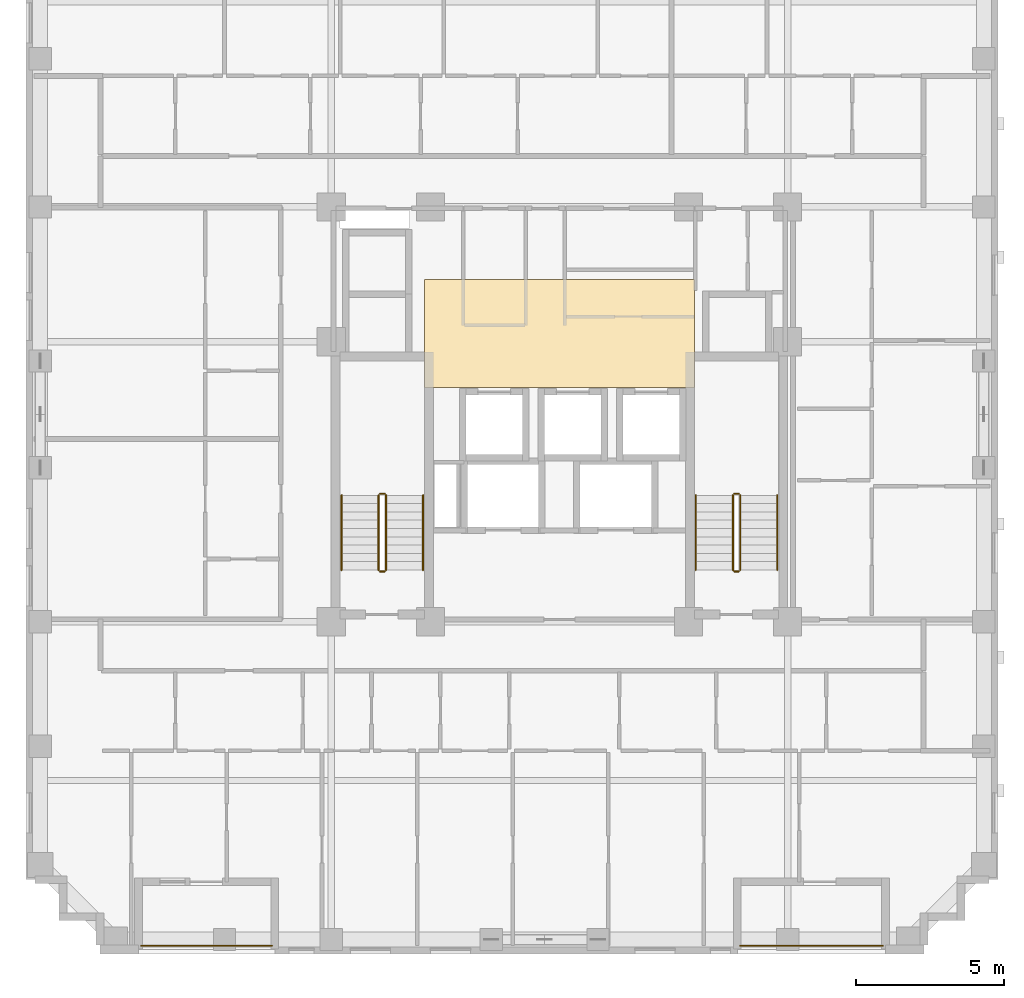
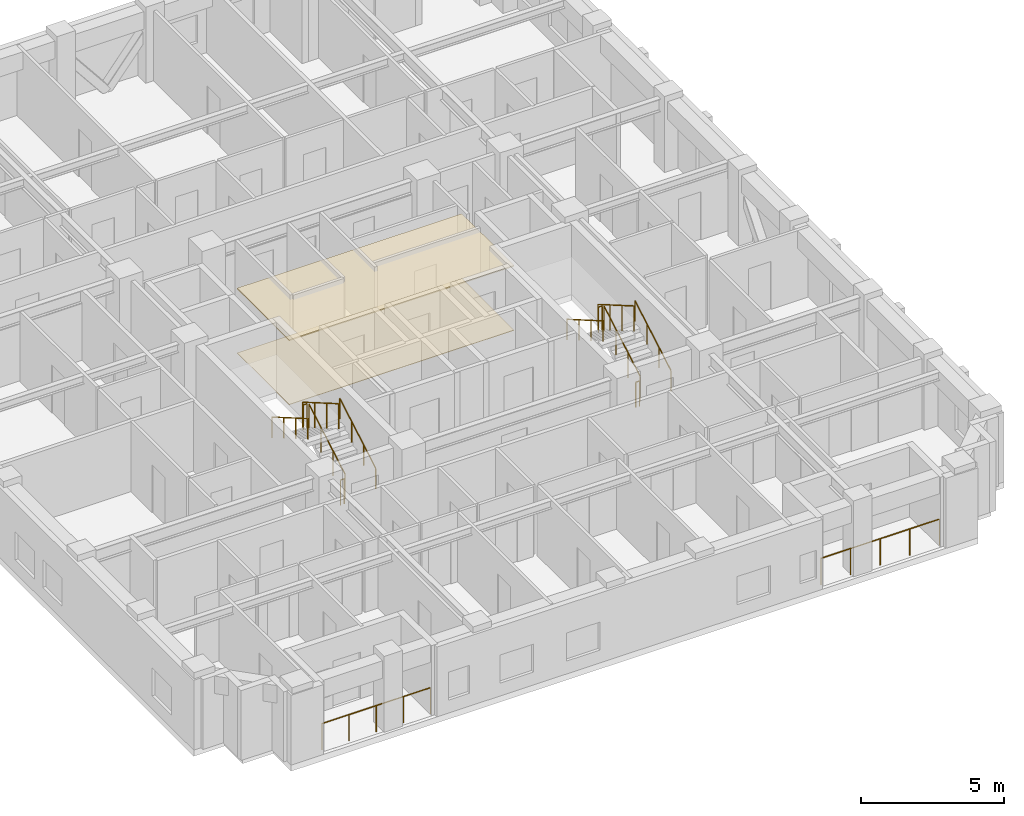
# One storey, part 11 of 12: 14 railings, 2 coverings.
"""IFC4 building model written with IfcOpenShell, lengths in metres."""

from ifc_helpers import new_model, si_unit, derived_unit, direction, frame, origin, origin_2d, place, context, subcontext, project, spatial, polyline, circle, outline, extrude, material, layer, layer_set, type_object, element, save


model = new_model("IFC4")

# Units and contexts
model_context = context("Model", 3, precision=1e-05, world=origin(), true_north=direction((0.0, 1.0)))
body_context = subcontext(model_context, "Body", "Model", "MODEL_VIEW")
ifc_project = project(units=[si_unit("LENGTHUNIT", "METRE"), si_unit("AREAUNIT", "SQUARE_METRE"), si_unit("VOLUMEUNIT", "CUBIC_METRE"), si_unit("PLANEANGLEUNIT", "RADIAN"), si_unit("MASSUNIT", "GRAM", prefix="KILO"), derived_unit("THERMALTRANSMITTANCEUNIT", [(si_unit("MASSUNIT", "GRAM", prefix="KILO"), 1), (si_unit("TIMEUNIT", "SECOND"), -3), (si_unit("THERMODYNAMICTEMPERATUREUNIT", "KELVIN"), -1)])], contexts=[model_context])

# Site, building, storey
site_placement = place(None, origin())
site = spatial("IfcSite", under=ifc_project, at=site_placement, CompositionType="ELEMENT")
building_placement = place(site_placement, origin())
building = spatial("IfcBuilding", under=site, at=building_placement, Name="Korrvale Station Residences", CompositionType="ELEMENT")
storey_placement = place(building_placement, frame((0.0, 0.0, 130.89990234375)))
storey = spatial("IfcBuildingStorey", under=building, at=storey_placement, Name="L37", CompositionType="ELEMENT", Elevation=130.89990234375)

# Coverings
ifc_material_1 = material(Name="Perforated acoustic mineral-fibre suspended ceiling", Category="gypsum")
ifc_layer_1 = layer(ifc_material_1, 0.050048828125, Name="Perforated acoustic mineral-fibre suspended ceiling")
ifc_layer_set_1 = layer_set([ifc_layer_1], Name="Perforated acoustic mineral-fibre suspended ceiling")
covering_type_1 = type_object("IfcCoveringType", Name="COV-CLG-AC60", PredefinedType="CEILING", material=ifc_layer_set_1)
covering_1_placement = place(storey_placement, frame((0.0, 0.0, 2.739990234375)))
element("IfcCovering", 1, at=covering_1_placement, inside=storey, type_object=covering_type_1, Name="L37 Elevator Lobby Acoustic Ceiling", PredefinedType="CEILING", context=body_context, shape_type="SweptSolid", body=[
    extrude(outline(polyline([(20.949951171875, 22.89990234375), (30.050048828125, 22.89990234375), (30.050048828125, 26.550048828125), (20.949951171875, 26.550048828125), (20.949951171875, 22.89990234375)])), origin(), (0.0, 0.0, 1.0), 0.050048828125),
])
ifc_material_2 = material(Name="Polished quartz-terrazzo lobby flooring", Category="masonry")
ifc_layer_2 = layer(ifc_material_2, 0.02001953125, Name="Polished quartz-terrazzo lobby flooring")
ifc_layer_set_2 = layer_set([ifc_layer_2], Name="Polished quartz-terrazzo lobby flooring")
covering_type_2 = type_object("IfcCoveringType", Name="COV-FLR-TER20", PredefinedType="FLOORING", material=ifc_layer_set_2)
covering_2_placement = place(storey_placement, origin())
element("IfcCovering", 2, at=covering_2_placement, inside=storey, type_object=covering_type_2, Name="L37 Elevator Lobby Terrazzo Flooring", PredefinedType="FLOORING", context=body_context, shape_type="SweptSolid", body=[
    extrude(outline(polyline([(20.949951171875, 22.89990234375), (30.050048828125, 22.89990234375), (30.050048828125, 26.550048828125), (20.949951171875, 26.550048828125), (20.949951171875, 22.89990234375)])), origin(), (0.0, 0.0, 1.0), 0.02001953125),
])

# Railings
ifc_material_3 = material(Name="Powder-coated aluminium picket loggia guard", Category="aluminium")
railing_type_1 = type_object("IfcRailingType", Name="RLG-BAL-1150", PredefinedType="GUARDRAIL", material=ifc_material_3)
railing_1_placement = place(storey_placement, frame((31.60009765625, 4.070068359375, 0.0)))
element("IfcRailing", 3, at=railing_1_placement, inside=storey, type_object=railing_type_1, Name="L37 Recessed Loggia Guardrail BAL-L37-S2", PredefinedType="GUARDRAIL", context=body_context, shape_type="SweptSolid", body=[
    extrude(circle(Radius=0.02392578125, at=origin_2d()), frame((0.0, 0.0, 1.1259765625), z_axis=(1.0, 0.0, 0.0), x_axis=(0.0, 1.0, 0.0)), (0.0, 0.0, 1.0), 4.7998046875),
    extrude(circle(Radius=0.02099609375, at=origin_2d()), origin(), (0.0, 0.0, 1.0), 1.101806640625),
    extrude(circle(Radius=0.02099609375, at=origin_2d()), frame((1.199951171875, 0.0, 0.0)), (0.0, 0.0, 1.0), 1.101806640625),
    extrude(circle(Radius=0.02099609375, at=origin_2d()), frame((2.39990234375, 0.0, 0.0)), (0.0, 0.0, 1.0), 1.101806640625),
    extrude(circle(Radius=0.02099609375, at=origin_2d()), frame((3.599853515625, 0.0, 0.0)), (0.0, 0.0, 1.0), 1.101806640625),
    extrude(circle(Radius=0.02099609375, at=origin_2d()), frame((4.7998046875, 0.0, 0.0)), (0.0, 0.0, 1.0), 1.101806640625),
])
railing_2_placement = place(storey_placement, frame((11.39990234375, 4.070068359375, 0.0)))
element("IfcRailing", 4, at=railing_2_placement, inside=storey, type_object=railing_type_1, Name="L37 Recessed Loggia Guardrail BAL-L37-S1", PredefinedType="GUARDRAIL", context=body_context, shape_type="SweptSolid", body=[
    extrude(circle(Radius=0.02392578125, at=origin_2d()), frame((0.0, 0.0, 1.1259765625), z_axis=(1.0, 0.0, 0.0), x_axis=(0.0, 1.0, 0.0)), (0.0, 0.0, 1.0), 4.400146484375),
    extrude(circle(Radius=0.02099609375, at=origin_2d()), origin(), (0.0, 0.0, 1.0), 1.101806640625),
    extrude(circle(Radius=0.02099609375, at=origin_2d()), frame((1.10009765625, 0.0, 0.0)), (0.0, 0.0, 1.0), 1.101806640625),
    extrude(circle(Radius=0.02099609375, at=origin_2d()), frame((2.2001953125, 0.0, 0.0)), (0.0, 0.0, 1.0), 1.101806640625),
    extrude(circle(Radius=0.02099609375, at=origin_2d()), frame((3.300048828125, 0.0, 0.0)), (0.0, 0.0, 1.0), 1.101806640625),
    extrude(circle(Radius=0.02099609375, at=origin_2d()), frame((4.400146484375, 0.0, 0.0)), (0.0, 0.0, 1.0), 1.101806640625),
])
ifc_material_4 = material(Name="Brushed stainless-steel continuous stair handrail", Category="steel")
railing_type_2 = type_object("IfcRailingType", Name="RLG-SHND-900", PredefinedType="HANDRAIL", material=ifc_material_4)
railing_3_placement = place(storey_placement, frame((20.89990234375, 16.75, 0.16259765625)))
element("IfcRailing", 5, at=railing_3_placement, inside=storey, type_object=railing_type_2, Name="L37 ST-1 stair handrail 1", PredefinedType="HANDRAIL", context=body_context, shape_type="SweptSolid", body=[
    extrude(circle(Radius=0.02392578125, at=origin_2d()), frame((0.0, 0.0, 0.8759765625), z_axis=(0.0, 0.864913338283, 0.50192122615), x_axis=(-1.0, 0.0, 0.0)), (0.0, 0.0, 1.0), 2.91357421875),
    extrude(circle(Radius=0.02099609375, at=origin_2d()), origin(), (0.0, 0.0, 1.0), 0.851806640625),
    extrude(circle(Radius=0.02099609375, at=origin_2d()), frame((0.0, 0.840087890625, 0.487548828125)), (0.0, 0.0, 1.0), 0.851806640625),
    extrude(circle(Radius=0.02099609375, at=origin_2d()), frame((0.0, 1.679931640625, 0.974853515625)), (0.0, 0.0, 1.0), 0.851806640625),
    extrude(circle(Radius=0.02099609375, at=origin_2d()), frame((0.0, 2.52001953125, 1.46240234375)), (0.0, 0.0, 1.0), 0.851806640625),
])
railing_4_placement = place(storey_placement, frame((18.14990234375, 19.27001953125, 1.78759765625)))
element("IfcRailing", 6, at=railing_4_placement, inside=storey, type_object=railing_type_2, Name="L37 ST-1 stair handrail 2", PredefinedType="HANDRAIL", context=body_context, shape_type="SweptSolid", body=[
    extrude(circle(Radius=0.02392578125, at=origin_2d()), frame((0.0, 0.0, 0.8759765625), z_axis=(0.0, -0.864913338283, 0.50192122615), x_axis=(1.0, 0.0, 0.0)), (0.0, 0.0, 1.0), 2.91357421875),
    extrude(circle(Radius=0.02099609375, at=origin_2d()), origin(), (0.0, 0.0, 1.0), 0.851806640625),
    extrude(circle(Radius=0.02099609375, at=origin_2d()), frame((0.0, -0.840087890625, 0.487548828125)), (0.0, 0.0, 1.0), 0.851806640625),
    extrude(circle(Radius=0.02099609375, at=origin_2d()), frame((0.0, -1.679931640625, 0.974853515625)), (0.0, 0.0, 1.0), 0.851806640625),
    extrude(circle(Radius=0.02099609375, at=origin_2d()), frame((0.0, -2.52001953125, 1.46240234375)), (0.0, 0.0, 1.0), 0.851806640625),
])
railing_5_placement = place(storey_placement, frame((32.85009765625, 16.75, 0.16259765625)))
element("IfcRailing", 7, at=railing_5_placement, inside=storey, type_object=railing_type_2, Name="L37 ST-2 stair handrail 1", PredefinedType="HANDRAIL", context=body_context, shape_type="SweptSolid", body=[
    extrude(circle(Radius=0.02392578125, at=origin_2d()), frame((0.0, 0.0, 0.8759765625), z_axis=(0.0, 0.864913338283, 0.50192122615), x_axis=(-1.0, 0.0, 0.0)), (0.0, 0.0, 1.0), 2.91357421875),
    extrude(circle(Radius=0.02099609375, at=origin_2d()), origin(), (0.0, 0.0, 1.0), 0.851806640625),
    extrude(circle(Radius=0.02099609375, at=origin_2d()), frame((0.0, 0.840087890625, 0.487548828125)), (0.0, 0.0, 1.0), 0.851806640625),
    extrude(circle(Radius=0.02099609375, at=origin_2d()), frame((0.0, 1.679931640625, 0.974853515625)), (0.0, 0.0, 1.0), 0.851806640625),
    extrude(circle(Radius=0.02099609375, at=origin_2d()), frame((0.0, 2.52001953125, 1.46240234375)), (0.0, 0.0, 1.0), 0.851806640625),
])
railing_6_placement = place(storey_placement, frame((30.10009765625, 19.27001953125, 1.78759765625)))
element("IfcRailing", 8, at=railing_6_placement, inside=storey, type_object=railing_type_2, Name="L37 ST-2 stair handrail 2", PredefinedType="HANDRAIL", context=body_context, shape_type="SweptSolid", body=[
    extrude(circle(Radius=0.02392578125, at=origin_2d()), frame((0.0, 0.0, 0.8759765625), z_axis=(0.0, -0.864913338283, 0.50192122615), x_axis=(1.0, 0.0, 0.0)), (0.0, 0.0, 1.0), 2.91357421875),
    extrude(circle(Radius=0.02099609375, at=origin_2d()), origin(), (0.0, 0.0, 1.0), 0.851806640625),
    extrude(circle(Radius=0.02099609375, at=origin_2d()), frame((0.0, -0.840087890625, 0.487548828125)), (0.0, 0.0, 1.0), 0.851806640625),
    extrude(circle(Radius=0.02099609375, at=origin_2d()), frame((0.0, -1.679931640625, 0.974853515625)), (0.0, 0.0, 1.0), 0.851806640625),
    extrude(circle(Radius=0.02099609375, at=origin_2d()), frame((0.0, -2.52001953125, 1.46240234375)), (0.0, 0.0, 1.0), 0.851806640625),
])
ifc_material_5 = material(Name="Galvanised painted tubular steel stair guard", Category="steel")
railing_type_3 = type_object("IfcRailingType", Name="RLG-STR-1100", PredefinedType="GUARDRAIL", material=ifc_material_5)
railing_7_placement = place(storey_placement, frame((19.64990234375, 16.75, 0.16259765625)))
element("IfcRailing", 9, at=railing_7_placement, inside=storey, type_object=railing_type_3, Name="L37 ST-1 stair guard 1", PredefinedType="GUARDRAIL", context=body_context, shape_type="SweptSolid", body=[
    extrude(circle(Radius=0.02392578125, at=origin_2d()), frame((0.0, 0.0, 1.076171875), z_axis=(0.0, 0.864913338283, 0.50192122615), x_axis=(-1.0, 0.0, 0.0)), (0.0, 0.0, 1.0), 2.91357421875),
    extrude(circle(Radius=0.02099609375, at=origin_2d()), origin(), (0.0, 0.0, 1.0), 1.052001953125),
    extrude(circle(Radius=0.02099609375, at=origin_2d()), frame((0.0, 0.840087890625, 0.487548828125)), (0.0, 0.0, 1.0), 1.052001953125),
    extrude(circle(Radius=0.02099609375, at=origin_2d()), frame((0.0, 1.679931640625, 0.974853515625)), (0.0, 0.0, 1.0), 1.052001953125),
    extrude(circle(Radius=0.02099609375, at=origin_2d()), frame((0.0, 2.52001953125, 1.46240234375)), (0.0, 0.0, 1.0), 1.052001953125),
])
railing_8_placement = place(storey_placement, frame((19.60009765625, 19.320068359375, 1.625)))
element("IfcRailing", 10, at=railing_8_placement, inside=storey, type_object=railing_type_3, Name="L37 ST-1 stair guard 2", PredefinedType="GUARDRAIL", context=body_context, shape_type="SweptSolid", body=[
    extrude(circle(Radius=0.02392578125, at=origin_2d()), frame((0.0, 0.0, 1.076171875), z_axis=(-1.0, 0.0, 0.0), x_axis=(0.0, -1.0, 0.0)), (0.0, 0.0, 1.0), 0.150146484375),
    extrude(circle(Radius=0.02099609375, at=origin_2d()), origin(), (0.0, 0.0, 1.0), 1.052001953125),
    extrude(circle(Radius=0.02099609375, at=origin_2d()), frame((-0.150146484375, 0.0, 0.0)), (0.0, 0.0, 1.0), 1.052001953125),
])
railing_9_placement = place(storey_placement, frame((19.39990234375, 19.27001953125, 1.78759765625)))
element("IfcRailing", 11, at=railing_9_placement, inside=storey, type_object=railing_type_3, Name="L37 ST-1 stair guard 3", PredefinedType="GUARDRAIL", context=body_context, shape_type="SweptSolid", body=[
    extrude(circle(Radius=0.02392578125, at=origin_2d()), frame((0.0, 0.0, 1.076171875), z_axis=(0.0, -0.864913338283, 0.50192122615), x_axis=(1.0, 0.0, 0.0)), (0.0, 0.0, 1.0), 2.91357421875),
    extrude(circle(Radius=0.02099609375, at=origin_2d()), origin(), (0.0, 0.0, 1.0), 1.052001953125),
    extrude(circle(Radius=0.02099609375, at=origin_2d()), frame((0.0, -0.840087890625, 0.487548828125)), (0.0, 0.0, 1.0), 1.052001953125),
    extrude(circle(Radius=0.02099609375, at=origin_2d()), frame((0.0, -1.679931640625, 0.974853515625)), (0.0, 0.0, 1.0), 1.052001953125),
    extrude(circle(Radius=0.02099609375, at=origin_2d()), frame((0.0, -2.52001953125, 1.46240234375)), (0.0, 0.0, 1.0), 1.052001953125),
])
railing_10_placement = place(storey_placement, frame((19.60009765625, 16.699951171875, 0.0)))
element("IfcRailing", 12, at=railing_10_placement, inside=storey, type_object=railing_type_3, Name="L37 ST-1 stair guard 4", PredefinedType="GUARDRAIL", context=body_context, shape_type="SweptSolid", body=[
    extrude(circle(Radius=0.02392578125, at=origin_2d()), frame((0.0, 0.0, 1.076171875), z_axis=(-1.0, 0.0, 0.0), x_axis=(0.0, -1.0, 0.0)), (0.0, 0.0, 1.0), 0.150146484375),
    extrude(circle(Radius=0.02099609375, at=origin_2d()), origin(), (0.0, 0.0, 1.0), 1.052001953125),
    extrude(circle(Radius=0.02099609375, at=origin_2d()), frame((-0.150146484375, 0.0, 0.0)), (0.0, 0.0, 1.0), 1.052001953125),
])
railing_11_placement = place(storey_placement, frame((31.60009765625, 16.75, 0.16259765625)))
element("IfcRailing", 13, at=railing_11_placement, inside=storey, type_object=railing_type_3, Name="L37 ST-2 stair guard 1", PredefinedType="GUARDRAIL", context=body_context, shape_type="SweptSolid", body=[
    extrude(circle(Radius=0.02392578125, at=origin_2d()), frame((0.0, 0.0, 1.076171875), z_axis=(0.0, 0.864913338283, 0.50192122615), x_axis=(-1.0, 0.0, 0.0)), (0.0, 0.0, 1.0), 2.91357421875),
    extrude(circle(Radius=0.02099609375, at=origin_2d()), origin(), (0.0, 0.0, 1.0), 1.052001953125),
    extrude(circle(Radius=0.02099609375, at=origin_2d()), frame((0.0, 0.840087890625, 0.487548828125)), (0.0, 0.0, 1.0), 1.052001953125),
    extrude(circle(Radius=0.02099609375, at=origin_2d()), frame((0.0, 1.679931640625, 0.974853515625)), (0.0, 0.0, 1.0), 1.052001953125),
    extrude(circle(Radius=0.02099609375, at=origin_2d()), frame((0.0, 2.52001953125, 1.46240234375)), (0.0, 0.0, 1.0), 1.052001953125),
])
railing_12_placement = place(storey_placement, frame((31.550048828125, 19.320068359375, 1.625)))
element("IfcRailing", 14, at=railing_12_placement, inside=storey, type_object=railing_type_3, Name="L37 ST-2 stair guard 2", PredefinedType="GUARDRAIL", context=body_context, shape_type="SweptSolid", body=[
    extrude(circle(Radius=0.02392578125, at=origin_2d()), frame((0.0, 0.0, 1.076171875), z_axis=(-1.0, 0.0, 0.0), x_axis=(0.0, -1.0, 0.0)), (0.0, 0.0, 1.0), 0.150146484375),
    extrude(circle(Radius=0.02099609375, at=origin_2d()), origin(), (0.0, 0.0, 1.0), 1.052001953125),
    extrude(circle(Radius=0.02099609375, at=origin_2d()), frame((-0.150146484375, 0.0, 0.0)), (0.0, 0.0, 1.0), 1.052001953125),
])
railing_13_placement = place(storey_placement, frame((31.35009765625, 19.27001953125, 1.78759765625)))
element("IfcRailing", 15, at=railing_13_placement, inside=storey, type_object=railing_type_3, Name="L37 ST-2 stair guard 3", PredefinedType="GUARDRAIL", context=body_context, shape_type="SweptSolid", body=[
    extrude(circle(Radius=0.02392578125, at=origin_2d()), frame((0.0, 0.0, 1.076171875), z_axis=(0.0, -0.864913338283, 0.50192122615), x_axis=(1.0, 0.0, 0.0)), (0.0, 0.0, 1.0), 2.91357421875),
    extrude(circle(Radius=0.02099609375, at=origin_2d()), origin(), (0.0, 0.0, 1.0), 1.052001953125),
    extrude(circle(Radius=0.02099609375, at=origin_2d()), frame((0.0, -0.840087890625, 0.487548828125)), (0.0, 0.0, 1.0), 1.052001953125),
    extrude(circle(Radius=0.02099609375, at=origin_2d()), frame((0.0, -1.679931640625, 0.974853515625)), (0.0, 0.0, 1.0), 1.052001953125),
    extrude(circle(Radius=0.02099609375, at=origin_2d()), frame((0.0, -2.52001953125, 1.46240234375)), (0.0, 0.0, 1.0), 1.052001953125),
])
railing_14_placement = place(storey_placement, frame((31.550048828125, 16.699951171875, 0.0)))
element("IfcRailing", 16, at=railing_14_placement, inside=storey, type_object=railing_type_3, Name="L37 ST-2 stair guard 4", PredefinedType="GUARDRAIL", context=body_context, shape_type="SweptSolid", body=[
    extrude(circle(Radius=0.02392578125, at=origin_2d()), frame((0.0, 0.0, 1.076171875), z_axis=(-1.0, 0.0, 0.0), x_axis=(0.0, -1.0, 0.0)), (0.0, 0.0, 1.0), 0.150146484375),
    extrude(circle(Radius=0.02099609375, at=origin_2d()), origin(), (0.0, 0.0, 1.0), 1.052001953125),
    extrude(circle(Radius=0.02099609375, at=origin_2d()), frame((-0.150146484375, 0.0, 0.0)), (0.0, 0.0, 1.0), 1.052001953125),
])

save(model, "model.ifc")
